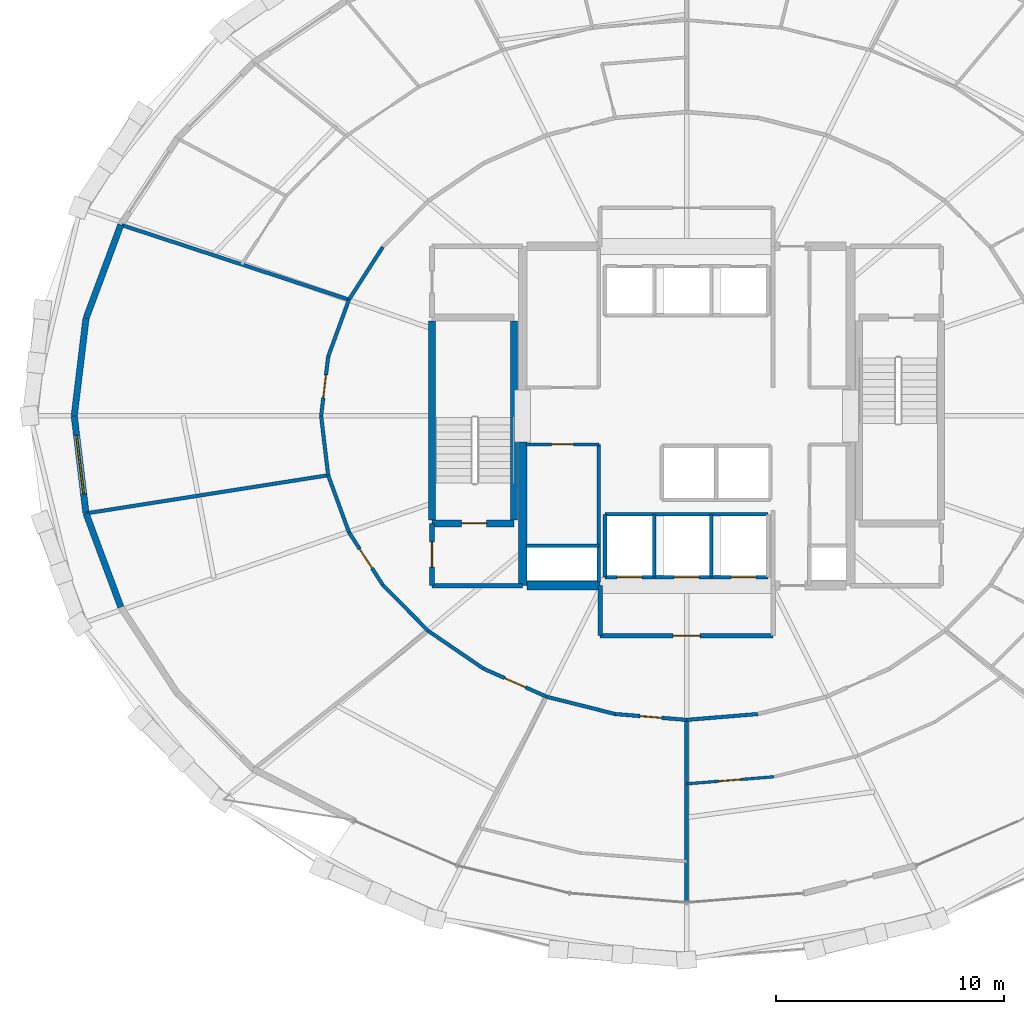
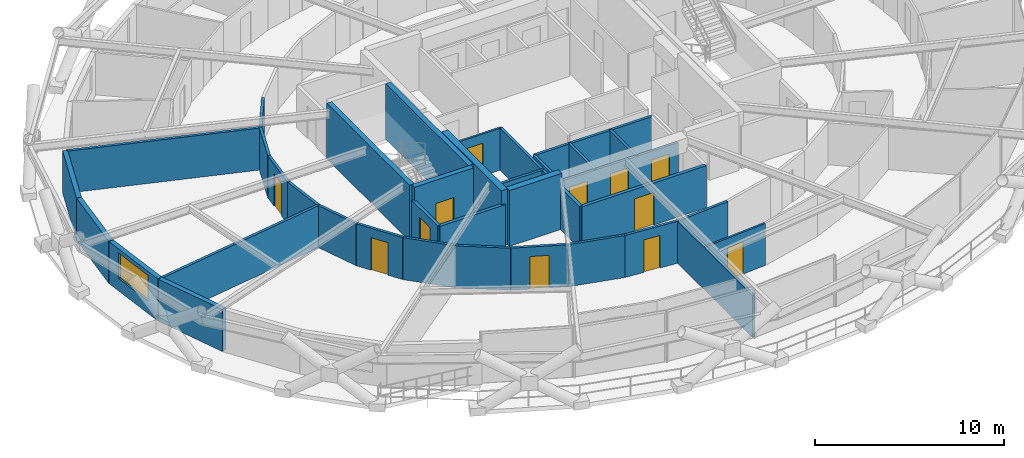
# One storey, part 14 of 21: 37 walls, 12 doors, 1 window, 13 openings.
"""IFC4 building model written with IfcOpenShell, lengths in metres."""

from ifc_helpers import new_model, si_unit, direction, frame, frame_2d, origin, place, context, subcontext, project, spatial, rectangle, extrude, material, layer, layer_set, type_object, element, fill, save


model = new_model("IFC4")

# Units and contexts
model_context = context("Model", 3, precision=1e-05, world=origin(), true_north=direction((0.0, 1.0)))
body_context = subcontext(model_context, "Body", "Model", "MODEL_VIEW")
ifc_project = project(units=[si_unit("LENGTHUNIT", "METRE"), si_unit("AREAUNIT", "SQUARE_METRE"), si_unit("VOLUMEUNIT", "CUBIC_METRE"), si_unit("PLANEANGLEUNIT", "RADIAN"), si_unit("MASSUNIT", "GRAM", prefix="KILO")], contexts=[model_context])

# Site, building, storey
site_placement = place(None, origin())
site = spatial("IfcSite", under=ifc_project, at=site_placement, CompositionType="ELEMENT")
building_placement = place(site_placement, origin())
building = spatial("IfcBuilding", under=site, at=building_placement, Name="Veldorina Hangang Commons", CompositionType="ELEMENT")
storey_placement = place(building_placement, frame((0.0, 0.0, 98.800048828125)))
storey = spatial("IfcBuildingStorey", under=building, at=storey_placement, Name="L25", CompositionType="ELEMENT", Elevation=98.800048828125)

# Walls
ifc_material_1 = material(Name="Concrete C70/85", Category="concrete")
ifc_layer_1 = layer(ifc_material_1, 0.3798828125)
ifc_layer_set_1 = layer_set([ifc_layer_1], Name="Concrete C70/85")
wall_type_1 = type_object("IfcWallType", Name="CW-RC380-C70", PredefinedType="SHEAR", material=ifc_layer_set_1)
wall_1_placement = place(storey_placement, frame((24.800048828125, 16.550048828125, 0.0), z_axis=(0.0, 0.0, 1.0), x_axis=(0.0, 1.0, 0.0)))
element("IfcWall", 1, at=wall_1_placement, inside=storey, type_object=wall_type_1, Name="L25 W south core shear wall", PredefinedType="SHEAR", context=body_context, shape_type="SweptSolid", body=[
    extrude(rectangle(XDim=6.300048828125, YDim=0.3798828125, at=frame_2d((3.14990234375, 0.0))), origin(), (0.0, 0.0, 1.0), 3.599853515625),
])
wall_2_placement = place(storey_placement, frame((24.989990234375, 16.550048828125, 0.0), z_axis=(0.0, 0.0, 1.0), x_axis=(1.0, 0.0, 0.0)))
element("IfcWall", 2, at=wall_2_placement, inside=storey, type_object=wall_type_1, Name="L25 south-west core shear wall", PredefinedType="SHEAR", context=body_context, shape_type="SweptSolid", body=[
    extrude(rectangle(XDim=3.2099609375, YDim=0.3798828125, at=frame_2d((1.60498046875, 0.0))), origin(), (0.0, 0.0, 1.0), 3.599853515625),
])
ifc_material_2 = material(Name="Stone Roman Travertine", Category="masonry")
ifc_layer_2 = layer(ifc_material_2, 0.280029296875)
ifc_layer_set_2 = layer_set([ifc_layer_2], Name="Stone Roman Travertine")
wall_type_2 = type_object("IfcWallType", Name="EW-TRAV-280", PredefinedType="STANDARD", material=ifc_layer_set_2)
wall_3_placement = place(storey_placement, frame((7.15234375, 32.3955078125, 0.0), z_axis=(0.0, 0.0, 1.0), x_axis=(-0.348569013741, -0.937283117665, 0.0)))
element("IfcWall", 3, at=wall_3_placement, inside=storey, type_object=wall_type_2, Name="L25 travertine facade wall 14", PredefinedType="STANDARD", context=body_context, shape_type="SweptSolid", body=[
    extrude(rectangle(XDim=4.390869140625, YDim=0.280029296875, at=frame_2d((2.1953125, 0.0))), origin(), (0.0, 0.0, 1.0), 2.7099609375),
])
wall_4_placement = place(storey_placement, frame((5.621826171875, 28.280029296875, 0.0), z_axis=(0.0, 0.0, 1.0), x_axis=(-0.119886563343, -0.992787596583, 0.0)))
element("IfcWall", 4, at=wall_4_placement, inside=storey, type_object=wall_type_2, Name="L25 travertine facade wall 15", PredefinedType="STANDARD", context=body_context, shape_type="SweptSolid", body=[
    extrude(rectangle(XDim=4.31103515625, YDim=0.280029296875, at=frame_2d((2.155517578125, 0.0))), origin(), (0.0, 0.0, 1.0), 2.7099609375),
])

# Wall, opening, window
wall_5_placement = place(storey_placement, frame((5.10498046875, 24.0, 0.0), z_axis=(0.0, 0.0, 1.0), x_axis=(0.119886563343, -0.992787596583, 0.0)))
wall_5 = element("IfcWall", 5, at=wall_5_placement, inside=storey, type_object=wall_type_2, Name="L25 travertine facade wall 16", PredefinedType="STANDARD", context=body_context, shape_type="SweptSolid", body=[
    extrude(rectangle(XDim=4.31103515625, YDim=0.280029296875, at=frame_2d((2.155517578125, 0.0))), origin(), (0.0, 0.0, 1.0), 2.7099609375),
])
opening_1_placement = place(wall_5_placement, frame((0.85546875, 0.0, 0.800048828125)))
opening_1 = element("IfcOpeningElement", 6, at=opening_1_placement, cuts=wall_5, Name="Opening W-02", PredefinedType="OPENING", context=body_context, shape_type="SweptSolid", body=[
    extrude(rectangle(XDim=2.60009765625, YDim=1.64990234375, at=frame_2d((1.300048828125, 0.824951171875))), frame((0.0, 0.14990234375, 0.0), z_axis=(0.0, -1.0, 0.0), x_axis=(1.0, 0.0, 0.0)), (0.0, 0.0, 1.0), 0.300048828125),
])
ifc_material_3 = material(Name="Glass Low-E Triple IGU", Category="glass")
window_type = type_object("IfcWindowType", Name="WIN-TWR-2600", PartitioningType="SINGLE_PANEL", PredefinedType="WINDOW", material=ifc_material_3)
window_placement = place(opening_1_placement, origin())
window = element("IfcWindow", 7, at=window_placement, inside=storey, type_object=window_type, Name="L25 facade window 16", OverallHeight=1.64990234375, OverallWidth=2.60009765625, PartitioningType="SINGLE_PANEL", PredefinedType="WINDOW", context=body_context, shape_type="SweptSolid", body=[
    extrude(rectangle(XDim=2.60009765625, YDim=1.64990234375, at=frame_2d((1.300048828125, 0.824951171875))), frame((0.0, 0.030029296875, 0.0), z_axis=(0.0, -1.0, 0.0), x_axis=(1.0, 0.0, 0.0)), (0.0, 0.0, 1.0), 0.06005859375),
])
fill(opening_1, window)

# Walls
wall_6_placement = place(storey_placement, frame((5.621826171875, 19.719970703125, 0.0), z_axis=(0.0, 0.0, 1.0), x_axis=(0.348569013741, -0.937283117665, 0.0)))
element("IfcWall", 8, at=wall_6_placement, inside=storey, type_object=wall_type_2, Name="L25 travertine facade wall 17", PredefinedType="STANDARD", context=body_context, shape_type="SweptSolid", body=[
    extrude(rectangle(XDim=4.390869140625, YDim=0.280029296875, at=frame_2d((2.1953125, 0.0))), origin(), (0.0, 0.0, 1.0), 2.7099609375),
])
ifc_material_4 = material(Name="Concrete C50/60", Category="concrete")
ifc_layer_3 = layer(ifc_material_4, 0.300048828125)
ifc_layer_set_3 = layer_set([ifc_layer_3], Name="Concrete C50/60")
wall_type_3 = type_object("IfcWallType", Name="SW-STAIR-300", PredefinedType="SHEAR", material=ifc_layer_set_3)
for number, where, z_axis, x_axis, name in (
    (9, (20.820068359375, 19.429931640625, 0.0), (0.0, 0.0, 1.0), (0.0, 1.0, 0.0), "L25 ST1 outer stair shear wall"),
    (10, (24.419921875, 19.429931640625, 0.0), (0.0, 0.0, 1.0), (0.0, 1.0, 0.0), "L25 ST1 inner stair shear wall"),
):
    element("IfcWall", number, at=place(storey_placement, frame(where, z_axis=z_axis, x_axis=x_axis)), inside=storey, type_object=wall_type_3, Name=name, PredefinedType="SHEAR", context=body_context, shape_type="SweptSolid", body=[
        extrude(rectangle(XDim=8.739990234375, YDim=0.300048828125, at=frame_2d((4.3701171875, 0.0))), origin(), (0.0, 0.0, 1.0), 3.599853515625),
    ])

# Wall, opening, door
wall_7_placement = place(storey_placement, frame((20.820068359375, 19.280029296875, 0.0), z_axis=(0.0, 0.0, 1.0), x_axis=(1.0, 0.0, 0.0)))
wall_7 = element("IfcWall", 11, at=wall_7_placement, inside=storey, type_object=wall_type_3, Name="L25 ST1 south stair shear wall", PredefinedType="SHEAR", context=body_context, shape_type="SweptSolid", body=[
    extrude(rectangle(XDim=3.599853515625, YDim=0.300048828125, at=frame_2d((1.7998046875, 0.0))), origin(), (0.0, 0.0, 1.0), 3.599853515625),
])
opening_2_placement = place(wall_7_placement, frame((1.300048828125, 0.0, 0.0)))
opening_2 = element("IfcOpeningElement", 12, at=opening_2_placement, cuts=wall_7, Name="Opening D-08", PredefinedType="OPENING", context=body_context, shape_type="SweptSolid", body=[
    extrude(rectangle(XDim=1.10009765625, YDim=2.10009765625, at=frame_2d((0.550048828125, 1.050048828125))), frame((0.0, 0.16015625, 0.0), z_axis=(0.0, -1.0, 0.0), x_axis=(1.0, 0.0, 0.0)), (0.0, 0.0, 1.0), 0.320068359375),
])
ifc_material_5 = material(Name="Steel Fire-Rated Smoke Seal", Category="steel")
door_type_1 = type_object("IfcDoorType", Name="DR-FIRE-1100", OperationType="SINGLE_SWING_RIGHT", PredefinedType="DOOR", material=ifc_material_5)
door_1_placement = place(opening_2_placement, origin())
door_1 = element("IfcDoor", 13, at=door_1_placement, inside=storey, type_object=door_type_1, Name="L25 Special Escape Stair ST-1 door", OperationType="SINGLE_SWING_LEFT", OverallHeight=2.10009765625, OverallWidth=1.10009765625, PredefinedType="DOOR", context=body_context, shape_type="SweptSolid", body=[
    extrude(rectangle(XDim=1.10009765625, YDim=2.10009765625, at=frame_2d((0.550048828125, 1.050048828125))), frame((0.0, 0.02490234375, 0.0), z_axis=(0.0, -1.0, 0.0), x_axis=(1.0, 0.0, 0.0)), (0.0, 0.0, 1.0), 0.050048828125),
])
fill(opening_2, door_1)

# Wall, openings, doors
ifc_material_6 = material(Name="Gypsum Fire-Rated Twin Stud Wall", Category="gypsum")
ifc_layer_4 = layer(ifc_material_6, 0.159912109375)
ifc_layer_set_4 = layer_set([ifc_layer_4], Name="Gypsum Fire-Rated Twin Stud Wall")
wall_type_4 = type_object("IfcWallType", Name="WL-FIRE-160", PredefinedType="SOLIDWALL", material=ifc_layer_set_4)
wall_8_placement = place(storey_placement, frame((28.419921875, 16.919921875, 0.0), z_axis=(0.0, 0.0, 1.0), x_axis=(1.0, 0.0, 0.0)))
wall_8 = element("IfcWall", 14, at=wall_8_placement, inside=storey, type_object=wall_type_4, Name="L25 Emergency front shaft wall 026", PredefinedType="SOLIDWALL", context=body_context, shape_type="SweptSolid", body=[
    extrude(rectangle(XDim=7.16015625, YDim=0.159912109375, at=frame_2d((3.580078125, 0.0))), origin(), (0.0, 0.0, 1.0), 2.7099609375),
])
opening_3_placement = place(wall_8_placement, frame((0.530029296875, 0.0, 0.0)))
opening_3 = element("IfcOpeningElement", 15, at=opening_3_placement, cuts=wall_8, Name="Opening LD-03", PredefinedType="OPENING", context=body_context, shape_type="SweptSolid", body=[
    extrude(rectangle(XDim=1.10009765625, YDim=2.14990234375, at=frame_2d((0.550048828125, 1.074951171875))), frame((0.0, 0.08984375, 0.0), z_axis=(0.0, -1.0, 0.0), x_axis=(1.0, 0.0, 0.0)), (0.0, 0.0, 1.0), 0.179931640625),
])
opening_4_placement = place(wall_8_placement, frame((3.030029296875, 0.0, 0.0)))
opening_4 = element("IfcOpeningElement", 16, at=opening_4_placement, cuts=wall_8, Name="Opening LD-03", PredefinedType="OPENING", context=body_context, shape_type="SweptSolid", body=[
    extrude(rectangle(XDim=1.10009765625, YDim=2.14990234375, at=frame_2d((0.550048828125, 1.074951171875))), frame((0.0, 0.08984375, 0.0), z_axis=(0.0, -1.0, 0.0), x_axis=(1.0, 0.0, 0.0)), (0.0, 0.0, 1.0), 0.179931640625),
])
opening_5_placement = place(wall_8_placement, frame((5.530029296875, 0.0, 0.0)))
opening_5 = element("IfcOpeningElement", 17, at=opening_5_placement, cuts=wall_8, Name="Opening LD-03", PredefinedType="OPENING", context=body_context, shape_type="SweptSolid", body=[
    extrude(rectangle(XDim=1.10009765625, YDim=2.14990234375, at=frame_2d((0.550048828125, 1.074951171875))), frame((0.0, 0.08984375, 0.0), z_axis=(0.0, -1.0, 0.0), x_axis=(1.0, 0.0, 0.0)), (0.0, 0.0, 1.0), 0.179931640625),
])
ifc_material_7 = material(Name="Stainless Steel Firefighting Lift Door", Category="steel")
door_type_2 = type_object("IfcDoorType", Name="DR-LIFT-FF1100", OperationType="SLIDING_TO_RIGHT", PredefinedType="DOOR", material=ifc_material_7)
door_2_placement = place(opening_3_placement, origin())
door_2 = element("IfcDoor", 18, at=door_2_placement, inside=storey, type_object=door_type_2, Name="L25 Emergency lift FFL-1 landing door 009", OperationType="SLIDING_TO_RIGHT", OverallHeight=2.14990234375, OverallWidth=1.10009765625, PredefinedType="DOOR", context=body_context, shape_type="SweptSolid", body=[
    extrude(rectangle(XDim=1.10009765625, YDim=2.14990234375, at=frame_2d((0.550048828125, 1.074951171875))), frame((0.0, 0.02490234375, 0.0), z_axis=(0.0, -1.0, 0.0), x_axis=(1.0, 0.0, 0.0)), (0.0, 0.0, 1.0), 0.050048828125),
])
fill(opening_3, door_2)
door_3_placement = place(opening_4_placement, origin())
door_3 = element("IfcDoor", 19, at=door_3_placement, inside=storey, type_object=door_type_2, Name="L25 Emergency lift FFL-2 landing door 010", OperationType="SLIDING_TO_RIGHT", OverallHeight=2.14990234375, OverallWidth=1.10009765625, PredefinedType="DOOR", context=body_context, shape_type="SweptSolid", body=[
    extrude(rectangle(XDim=1.10009765625, YDim=2.14990234375, at=frame_2d((0.550048828125, 1.074951171875))), frame((0.0, 0.02490234375, 0.0), z_axis=(0.0, -1.0, 0.0), x_axis=(1.0, 0.0, 0.0)), (0.0, 0.0, 1.0), 0.050048828125),
])
fill(opening_4, door_3)
door_4_placement = place(opening_5_placement, origin())
door_4 = element("IfcDoor", 20, at=door_4_placement, inside=storey, type_object=door_type_2, Name="L25 Emergency lift EVL-1 landing door 011", OperationType="SLIDING_TO_RIGHT", OverallHeight=2.14990234375, OverallWidth=1.10009765625, PredefinedType="DOOR", context=body_context, shape_type="SweptSolid", body=[
    extrude(rectangle(XDim=1.10009765625, YDim=2.14990234375, at=frame_2d((0.550048828125, 1.074951171875))), frame((0.0, 0.02490234375, 0.0), z_axis=(0.0, -1.0, 0.0), x_axis=(1.0, 0.0, 0.0)), (0.0, 0.0, 1.0), 0.050048828125),
])
fill(opening_5, door_4)

# Walls
wall_9_placement = place(storey_placement, frame((28.419921875, 19.679931640625, 0.0), z_axis=(0.0, 0.0, 1.0), x_axis=(1.0, 0.0, 0.0)))
element("IfcWall", 21, at=wall_9_placement, inside=storey, type_object=wall_type_4, Name="L25 Emergency rear shaft wall 027", PredefinedType="SOLIDWALL", context=body_context, shape_type="SweptSolid", body=[
    extrude(rectangle(XDim=7.16015625, YDim=0.159912109375, at=frame_2d((3.580078125, 0.0))), origin(), (0.0, 0.0, 1.0), 2.7099609375),
])
for number, where, z_axis, x_axis, name in (
    (22, (28.419921875, 16.919921875, 0.0), (0.0, 0.0, 1.0), (0.0, 1.0, 0.0), "L25 FFL-1 west shaft wall 028"),
    (23, (30.580078125, 16.919921875, 0.0), (0.0, 0.0, 1.0), (0.0, 1.0, 0.0), "L25 FFL-1 east shaft wall 029"),
    (24, (33.080078125, 16.919921875, 0.0), (0.0, 0.0, 1.0), (0.0, 1.0, 0.0), "L25 FFL-2 east shaft wall 030"),
):
    element("IfcWall", number, at=place(storey_placement, frame(where, z_axis=z_axis, x_axis=x_axis)), inside=storey, type_object=wall_type_4, Name=name, PredefinedType="SOLIDWALL", context=body_context, shape_type="SweptSolid", body=[
        extrude(rectangle(XDim=2.760009765625, YDim=0.159912109375, at=frame_2d((1.3798828125, 0.0))), origin(), (0.0, 0.0, 1.0), 2.7099609375),
    ])
wall_10_placement = place(storey_placement, frame((24.949951171875, 18.300048828125, 0.0), z_axis=(0.0, 0.0, 1.0), x_axis=(1.0, 0.0, 0.0)))
element("IfcWall", 25, at=wall_10_placement, inside=storey, type_object=wall_type_4, Name="L25 Electrical riser wall 035", PredefinedType="SOLIDWALL", context=body_context, shape_type="SweptSolid", body=[
    extrude(rectangle(XDim=3.199951171875, YDim=0.159912109375, at=frame_2d((1.60009765625, 0.0))), origin(), (0.0, 0.0, 1.0), 2.7099609375),
])
wall_11_placement = place(storey_placement, frame((28.14990234375, 16.699951171875, 0.0), z_axis=(0.0, 0.0, 1.0), x_axis=(0.0, 1.0, 0.0)))
element("IfcWall", 26, at=wall_11_placement, inside=storey, type_object=wall_type_4, Name="L25 SW core inner wall 036", PredefinedType="SOLIDWALL", context=body_context, shape_type="SweptSolid", body=[
    extrude(rectangle(XDim=6.050048828125, YDim=0.159912109375, at=frame_2d((3.02490234375, 0.0))), origin(), (0.0, 0.0, 1.0), 2.7099609375),
])
wall_12_placement = place(storey_placement, frame((18.65478515625, 31.4169921875, 0.0), z_axis=(0.0, 0.0, 1.0), x_axis=(-0.540595670038, -0.841282545603, 0.0)))
element("IfcWall", 27, at=wall_12_placement, inside=storey, type_object=wall_type_4, Name="L25 Corridor outer wall 13 058", PredefinedType="SOLIDWALL", context=body_context, shape_type="SweptSolid", body=[
    extrude(rectangle(XDim=2.74365234375, YDim=0.159912109375, at=frame_2d((1.371826171875, 0.0))), origin(), (0.0, 0.0, 1.0), 2.7099609375),
])
wall_13_placement = place(storey_placement, frame((17.171630859375, 29.10888671875, 0.0), z_axis=(0.0, 0.0, 1.0), x_axis=(-0.342617982381, -0.939474809747, 0.0)))
element("IfcWall", 28, at=wall_13_placement, inside=storey, type_object=wall_type_4, Name="L25 Corridor outer wall 14 059", PredefinedType="SOLIDWALL", context=body_context, shape_type="SweptSolid", body=[
    extrude(rectangle(XDim=2.665771484375, YDim=0.159912109375, at=frame_2d((1.3330078125, 0.0))), origin(), (0.0, 0.0, 1.0), 2.7099609375),
])

# Wall, opening, door
wall_14_placement = place(storey_placement, frame((16.25830078125, 26.6044921875, 0.0), z_axis=(0.0, 0.0, 1.0), x_axis=(-0.117570353762, -0.993064555765, 0.0)))
wall_14 = element("IfcWall", 29, at=wall_14_placement, inside=storey, type_object=wall_type_4, Name="L25 Corridor outer wall 15 060", PredefinedType="SOLIDWALL", context=body_context, shape_type="SweptSolid", body=[
    extrude(rectangle(XDim=2.622802734375, YDim=0.159912109375, at=frame_2d((1.3115234375, 0.0))), origin(), (0.0, 0.0, 1.0), 2.7099609375),
])
opening_6_placement = place(wall_14_placement, frame((0.811279296875, 0.0, 0.0)))
opening_6 = element("IfcOpeningElement", 30, at=opening_6_placement, cuts=wall_14, Name="Opening D-05", PredefinedType="OPENING", context=body_context, shape_type="SweptSolid", body=[
    extrude(rectangle(XDim=1.0, YDim=2.10009765625, at=frame_2d((0.5, 1.050048828125))), frame((0.0, 0.08984375, 0.0), z_axis=(0.0, -1.0, 0.0), x_axis=(1.0, 0.0, 0.0)), (0.0, 0.0, 1.0), 0.179931640625),
])
ifc_material_8 = material(Name="Timber Solid Core Acoustic", Category="wood")
door_type_3 = type_object("IfcDoorType", Name="DR-INT-1000", OperationType="SINGLE_SWING_RIGHT", PredefinedType="DOOR", material=ifc_material_8)
door_5_placement = place(opening_6_placement, origin())
door_5 = element("IfcDoor", 31, at=door_5_placement, inside=storey, type_object=door_type_3, Name="L25 Floor Study Room 5 door 043", OperationType="SINGLE_SWING_LEFT", OverallHeight=2.10009765625, OverallWidth=1.0, PredefinedType="DOOR", context=body_context, shape_type="SweptSolid", body=[
    extrude(rectangle(XDim=1.0, YDim=2.10009765625, at=frame_2d((0.5, 1.050048828125))), frame((0.0, 0.02490234375, 0.0), z_axis=(0.0, -1.0, 0.0), x_axis=(1.0, 0.0, 0.0)), (0.0, 0.0, 1.0), 0.050048828125),
])
fill(opening_6, door_5)

# Walls
wall_15_placement = place(storey_placement, frame((15.949951171875, 24.0, 0.0), z_axis=(0.0, 0.0, 1.0), x_axis=(0.117570353762, -0.993064555765, 0.0)))
element("IfcWall", 32, at=wall_15_placement, inside=storey, type_object=wall_type_4, Name="L25 Corridor outer wall 16 061", PredefinedType="SOLIDWALL", context=body_context, shape_type="SweptSolid", body=[
    extrude(rectangle(XDim=2.622802734375, YDim=0.159912109375, at=frame_2d((1.3115234375, 0.0))), origin(), (0.0, 0.0, 1.0), 2.7099609375),
])
wall_16_placement = place(storey_placement, frame((16.25830078125, 21.3955078125, 0.0), z_axis=(0.0, 0.0, 1.0), x_axis=(0.342617982381, -0.939474809747, 0.0)))
element("IfcWall", 33, at=wall_16_placement, inside=storey, type_object=wall_type_4, Name="L25 Corridor outer wall 17 062", PredefinedType="SOLIDWALL", context=body_context, shape_type="SweptSolid", body=[
    extrude(rectangle(XDim=2.665771484375, YDim=0.159912109375, at=frame_2d((1.3330078125, 0.0))), origin(), (0.0, 0.0, 1.0), 2.7099609375),
])

# Wall, opening, door
wall_17_placement = place(storey_placement, frame((17.171630859375, 18.89111328125, 0.0), z_axis=(0.0, 0.0, 1.0), x_axis=(0.540595670038, -0.841282545603, 0.0)))
wall_17 = element("IfcWall", 34, at=wall_17_placement, inside=storey, type_object=wall_type_4, Name="L25 Corridor outer wall 18 063", PredefinedType="SOLIDWALL", context=body_context, shape_type="SweptSolid", body=[
    extrude(rectangle(XDim=2.74365234375, YDim=0.159912109375, at=frame_2d((1.371826171875, 0.0))), origin(), (0.0, 0.0, 1.0), 2.7099609375),
])
opening_7_placement = place(wall_17_placement, frame((0.871826171875, 0.0, 0.0)))
opening_7 = element("IfcOpeningElement", 35, at=opening_7_placement, cuts=wall_17, Name="Opening D-05", PredefinedType="OPENING", context=body_context, shape_type="SweptSolid", body=[
    extrude(rectangle(XDim=1.0, YDim=2.10009765625, at=frame_2d((0.5, 1.050048828125))), frame((0.0, 0.08984375, 0.0), z_axis=(0.0, -1.0, 0.0), x_axis=(1.0, 0.0, 0.0)), (0.0, 0.0, 1.0), 0.179931640625),
])
door_6_placement = place(opening_7_placement, origin())
door_6 = element("IfcDoor", 36, at=door_6_placement, inside=storey, type_object=door_type_3, Name="L25 Floor Study Room 6 door 044", OperationType="SINGLE_SWING_RIGHT", OverallHeight=2.10009765625, OverallWidth=1.0, PredefinedType="DOOR", context=body_context, shape_type="SweptSolid", body=[
    extrude(rectangle(XDim=1.0, YDim=2.10009765625, at=frame_2d((0.5, 1.050048828125))), frame((0.0, 0.02490234375, 0.0), z_axis=(0.0, -1.0, 0.0), x_axis=(1.0, 0.0, 0.0)), (0.0, 0.0, 1.0), 0.050048828125),
])
fill(opening_7, door_6)

# Walls
wall_18_placement = place(storey_placement, frame((18.65478515625, 16.5830078125, 0.0), z_axis=(0.0, 0.0, 1.0), x_axis=(0.702366174226, -0.711815816981, 0.0)))
element("IfcWall", 37, at=wall_18_placement, inside=storey, type_object=wall_type_4, Name="L25 Corridor outer wall 19 064", PredefinedType="SOLIDWALL", context=body_context, shape_type="SweptSolid", body=[
    extrude(rectangle(XDim=2.842041015625, YDim=0.159912109375, at=frame_2d((1.4208984375, 0.0))), origin(), (0.0, 0.0, 1.0), 2.7099609375),
])
wall_19_placement = place(storey_placement, frame((20.65087890625, 14.56005859375, 0.0), z_axis=(0.0, 0.0, 1.0), x_axis=(0.825929039072, -0.563774088104, 0.0)))
element("IfcWall", 38, at=wall_19_placement, inside=storey, type_object=wall_type_4, Name="L25 Corridor outer wall 20 065", PredefinedType="SOLIDWALL", context=body_context, shape_type="SweptSolid", body=[
    extrude(rectangle(XDim=2.94482421875, YDim=0.159912109375, at=frame_2d((1.472412109375, 0.0))), origin(), (0.0, 0.0, 1.0), 2.7099609375),
])

# Wall, opening, door
wall_20_placement = place(storey_placement, frame((23.0830078125, 12.89990234375, 0.0), z_axis=(0.0, 0.0, 1.0), x_axis=(0.913768445178, -0.406235434936, 0.0)))
wall_20 = element("IfcWall", 39, at=wall_20_placement, inside=storey, type_object=wall_type_4, Name="L25 Corridor outer wall 21 066", PredefinedType="SOLIDWALL", context=body_context, shape_type="SweptSolid", body=[
    extrude(rectangle(XDim=3.036865234375, YDim=0.159912109375, at=frame_2d((1.5185546875, 0.0))), origin(), (0.0, 0.0, 1.0), 2.7099609375),
])
opening_8_placement = place(wall_20_placement, frame((1.018310546875, 0.0, 0.0)))
opening_8 = element("IfcOpeningElement", 40, at=opening_8_placement, cuts=wall_20, Name="Opening D-05", PredefinedType="OPENING", context=body_context, shape_type="SweptSolid", body=[
    extrude(rectangle(XDim=1.0, YDim=2.10009765625, at=frame_2d((0.5, 1.050048828125))), frame((0.0, 0.08984375, 0.0), z_axis=(0.0, -1.0, 0.0), x_axis=(1.0, 0.0, 0.0)), (0.0, 0.0, 1.0), 0.179931640625),
])
door_7_placement = place(opening_8_placement, origin())
door_7 = element("IfcDoor", 41, at=door_7_placement, inside=storey, type_object=door_type_3, Name="L25 Seminar Focus Room 7 door 045", OperationType="SINGLE_SWING_LEFT", OverallHeight=2.10009765625, OverallWidth=1.0, PredefinedType="DOOR", context=body_context, shape_type="SweptSolid", body=[
    extrude(rectangle(XDim=1.0, YDim=2.10009765625, at=frame_2d((0.5, 1.050048828125))), frame((0.0, 0.02490234375, 0.0), z_axis=(0.0, -1.0, 0.0), x_axis=(1.0, 0.0, 0.0)), (0.0, 0.0, 1.0), 0.050048828125),
])
fill(opening_8, door_7)

# Wall
wall_21_placement = place(storey_placement, frame((25.85791015625, 11.666259765625, 0.0), z_axis=(0.0, 0.0, 1.0), x_axis=(0.969608333194, -0.244662380029, 0.0)))
element("IfcWall", 42, at=wall_21_placement, inside=storey, type_object=wall_type_4, Name="L25 Corridor outer wall 22 067", PredefinedType="SOLIDWALL", context=body_context, shape_type="SweptSolid", body=[
    extrude(rectangle(XDim=3.10546875, YDim=0.159912109375, at=frame_2d((1.552734375, 0.0))), origin(), (0.0, 0.0, 1.0), 2.7099609375),
])

# Wall, opening, door
wall_22_placement = place(storey_placement, frame((28.868896484375, 10.906494140625, 0.0), z_axis=(0.0, 0.0, 1.0), x_axis=(0.996658973252, -0.081675522876, 0.0)))
wall_22 = element("IfcWall", 43, at=wall_22_placement, inside=storey, type_object=wall_type_4, Name="L25 Corridor outer wall 23 068", PredefinedType="SOLIDWALL", context=body_context, shape_type="SweptSolid", body=[
    extrude(rectangle(XDim=3.1416015625, YDim=0.159912109375, at=frame_2d((1.57080078125, 0.0))), origin(), (0.0, 0.0, 1.0), 2.7099609375),
])
opening_9_placement = place(wall_22_placement, frame((1.095703125, 0.0, 0.0)))
opening_9 = element("IfcOpeningElement", 44, at=opening_9_placement, cuts=wall_22, Name="Opening D-02", PredefinedType="OPENING", context=body_context, shape_type="SweptSolid", body=[
    extrude(rectangle(XDim=0.949951171875, YDim=2.10009765625, at=frame_2d((0.47509765625, 1.050048828125))), frame((0.0, 0.08984375, 0.0), z_axis=(0.0, -1.0, 0.0), x_axis=(1.0, 0.0, 0.0)), (0.0, 0.0, 1.0), 0.179931640625),
])
door_type_4 = type_object("IfcDoorType", Name="DR-INT-950", OperationType="SINGLE_SWING_LEFT", PredefinedType="DOOR", material=ifc_material_8)
door_8_placement = place(opening_9_placement, origin())
door_8 = element("IfcDoor", 45, at=door_8_placement, inside=storey, type_object=door_type_4, Name="L25 Linen drying store door 046", OperationType="SINGLE_SWING_RIGHT", OverallHeight=2.10009765625, OverallWidth=0.949951171875, PredefinedType="DOOR", context=body_context, shape_type="SweptSolid", body=[
    extrude(rectangle(XDim=0.949951171875, YDim=2.10009765625, at=frame_2d((0.47509765625, 1.050048828125))), frame((0.0, 0.02490234375, 0.0), z_axis=(0.0, -1.0, 0.0), x_axis=(1.0, 0.0, 0.0)), (0.0, 0.0, 1.0), 0.050048828125),
])
fill(opening_9, door_8)

# Walls
wall_23_placement = place(storey_placement, frame((32.0, 10.64990234375, 0.0), z_axis=(0.0, 0.0, 1.0), x_axis=(0.996658973252, 0.081675522876, 0.0)))
element("IfcWall", 46, at=wall_23_placement, inside=storey, type_object=wall_type_4, Name="L25 Corridor outer wall 24 069", PredefinedType="SOLIDWALL", context=body_context, shape_type="SweptSolid", body=[
    extrude(rectangle(XDim=3.1416015625, YDim=0.159912109375, at=frame_2d((1.57080078125, 0.0))), origin(), (0.0, 0.0, 1.0), 2.7099609375),
])
wall_24_placement = place(storey_placement, frame((32.0, 10.64990234375, 0.0), z_axis=(0.0, 0.0, 1.0), x_axis=(0.0, -1.0, 0.0)))
element("IfcWall", 47, at=wall_24_placement, inside=storey, type_object=wall_type_4, Name="L25 Unit party wall 24 077", PredefinedType="SOLIDWALL", context=body_context, shape_type="SweptSolid", body=[
    extrude(rectangle(XDim=7.978515625, YDim=0.159912109375, at=frame_2d((3.9892578125, 0.0))), origin(), (0.0, 0.0, 1.0), 2.7099609375),
])
wall_25_placement = place(storey_placement, frame((17.171630859375, 29.10888671875, 0.0), z_axis=(0.0, 0.0, 1.0), x_axis=(-0.950186855509, 0.311680829725, 0.0)))
element("IfcWall", 48, at=wall_25_placement, inside=storey, type_object=wall_type_4, Name="L25 Unit party wall 14 124", PredefinedType="SOLIDWALL", context=body_context, shape_type="SweptSolid", body=[
    extrude(rectangle(XDim=10.49462890625, YDim=0.159912109375, at=frame_2d((5.247314453125, 0.0))), origin(), (0.0, 0.0, 1.0), 2.7099609375),
])
wall_26_placement = place(storey_placement, frame((16.25830078125, 21.3955078125, 0.0), z_axis=(0.0, 0.0, 1.0), x_axis=(-0.987819417483, -0.15560462218, 0.0)))
element("IfcWall", 49, at=wall_26_placement, inside=storey, type_object=wall_type_4, Name="L25 Unit party wall 17 125", PredefinedType="SOLIDWALL", context=body_context, shape_type="SweptSolid", body=[
    extrude(rectangle(XDim=10.7177734375, YDim=0.159912109375, at=frame_2d((5.35888671875, 0.0))), origin(), (0.0, 0.0, 1.0), 2.7099609375),
])

# Wall, opening, door
ifc_material_9 = material(Name="Concrete Blockwork Fire Wall C30/37", Category="masonry")
ifc_layer_5 = layer(ifc_material_9, 0.199951171875)
ifc_layer_set_5 = layer_set([ifc_layer_5], Name="Concrete Blockwork Fire Wall C30/37")
wall_type_5 = type_object("IfcWallType", Name="WL-FIRE-200", PredefinedType="SOLIDWALL", material=ifc_layer_set_5)
wall_27_placement = place(storey_placement, frame((20.820068359375, 16.550048828125, 0.0), z_axis=(0.0, 0.0, 1.0), x_axis=(0.0, 1.0, 0.0)))
wall_27 = element("IfcWall", 50, at=wall_27_placement, inside=storey, type_object=wall_type_5, Name="L25 West vestibule outer wall 001", PredefinedType="SOLIDWALL", context=body_context, shape_type="SweptSolid", body=[
    extrude(rectangle(XDim=2.72998046875, YDim=0.199951171875, at=frame_2d((1.364990234375, 0.0))), origin(), (0.0, 0.0, 1.0), 2.7099609375),
])
opening_10_placement = place(wall_27_placement, frame((0.81494140625, 0.0, 0.0)))
opening_10 = element("IfcOpeningElement", 51, at=opening_10_placement, cuts=wall_27, Name="Opening D-08", PredefinedType="OPENING", context=body_context, shape_type="SweptSolid", body=[
    extrude(rectangle(XDim=1.10009765625, YDim=2.10009765625, at=frame_2d((0.550048828125, 1.050048828125))), frame((0.0, 0.10986328125, 0.0), z_axis=(0.0, -1.0, 0.0), x_axis=(1.0, 0.0, 0.0)), (0.0, 0.0, 1.0), 0.219970703125),
])
door_9_placement = place(opening_10_placement, origin())
door_9 = element("IfcDoor", 52, at=door_9_placement, inside=storey, type_object=door_type_1, Name="L25 West vestibule west door 001", OperationType="SINGLE_SWING_LEFT", OverallHeight=2.10009765625, OverallWidth=1.10009765625, PredefinedType="DOOR", context=body_context, shape_type="SweptSolid", body=[
    extrude(rectangle(XDim=1.10009765625, YDim=2.10009765625, at=frame_2d((0.550048828125, 1.050048828125))), frame((0.0, 0.02490234375, 0.0), z_axis=(0.0, -1.0, 0.0), x_axis=(1.0, 0.0, 0.0)), (0.0, 0.0, 1.0), 0.050048828125),
])
fill(opening_10, door_9)

# Walls
wall_28_placement = place(storey_placement, frame((20.820068359375, 16.550048828125, 0.0), z_axis=(0.0, 0.0, 1.0), x_axis=(1.0, 0.0, 0.0)))
element("IfcWall", 53, at=wall_28_placement, inside=storey, type_object=wall_type_5, Name="L25 West vestibule south wall 002", PredefinedType="SOLIDWALL", context=body_context, shape_type="SweptSolid", body=[
    extrude(rectangle(XDim=3.97998046875, YDim=0.199951171875, at=frame_2d((1.989990234375, 0.0))), origin(), (0.0, 0.0, 1.0), 2.7099609375),
])
wall_29_placement = place(storey_placement, frame((28.199951171875, 14.35009765625, 0.0), z_axis=(0.0, 0.0, 1.0), x_axis=(0.0, 1.0, 0.0)))
element("IfcWall", 54, at=wall_29_placement, inside=storey, type_object=wall_type_5, Name="L25 FF lobby west wall 012", PredefinedType="SOLIDWALL", context=body_context, shape_type="SweptSolid", body=[
    extrude(rectangle(XDim=2.199951171875, YDim=0.199951171875, at=frame_2d((1.10009765625, 0.0))), origin(), (0.0, 0.0, 1.0), 2.7099609375),
])

# Wall, opening, door
wall_30_placement = place(storey_placement, frame((28.199951171875, 14.35009765625, 0.0), z_axis=(0.0, 0.0, 1.0), x_axis=(1.0, 0.0, 0.0)))
wall_30 = element("IfcWall", 55, at=wall_30_placement, inside=storey, type_object=wall_type_5, Name="L25 FF lobby south wall 014", PredefinedType="SOLIDWALL", context=body_context, shape_type="SweptSolid", body=[
    extrude(rectangle(XDim=7.60009765625, YDim=0.199951171875, at=frame_2d((3.800048828125, 0.0))), origin(), (0.0, 0.0, 1.0), 2.7099609375),
])
opening_11_placement = place(wall_30_placement, frame((3.199951171875, 0.0, 0.0)))
opening_11 = element("IfcOpeningElement", 56, at=opening_11_placement, cuts=wall_30, Name="Opening D-09", PredefinedType="OPENING", context=body_context, shape_type="SweptSolid", body=[
    extrude(rectangle(XDim=1.199951171875, YDim=2.10009765625, at=frame_2d((0.60009765625, 1.050048828125))), frame((0.0, 0.10986328125, 0.0), z_axis=(0.0, -1.0, 0.0), x_axis=(1.0, 0.0, 0.0)), (0.0, 0.0, 1.0), 0.219970703125),
])
ifc_material_10 = material(Name="Steel Fire-Rated Corridor Door", Category="steel")
door_type_5 = type_object("IfcDoorType", Name="DR-FIRE-1200", OperationType="SINGLE_SWING_LEFT", PredefinedType="DOOR", material=ifc_material_10)
door_10_placement = place(opening_11_placement, origin())
door_10 = element("IfcDoor", 57, at=door_10_placement, inside=storey, type_object=door_type_5, Name="L25 FF lobby south corridor door 005", OperationType="SINGLE_SWING_LEFT", OverallHeight=2.10009765625, OverallWidth=1.199951171875, PredefinedType="DOOR", context=body_context, shape_type="SweptSolid", body=[
    extrude(rectangle(XDim=1.199951171875, YDim=2.10009765625, at=frame_2d((0.60009765625, 1.050048828125))), frame((0.0, 0.02490234375, 0.0), z_axis=(0.0, -1.0, 0.0), x_axis=(1.0, 0.0, 0.0)), (0.0, 0.0, 1.0), 0.050048828125),
])
fill(opening_11, door_10)

ifc_material_11 = material(Name="Gypsum Acoustic Stud Partition", Category="gypsum")
ifc_layer_6 = layer(ifc_material_11, 0.1201171875)
ifc_layer_set_6 = layer_set([ifc_layer_6], Name="Gypsum Acoustic Stud Partition")
wall_type_6 = type_object("IfcWallType", Name="WL-PART-120", PredefinedType="PARTITIONING", material=ifc_layer_set_6)
wall_31_placement = place(storey_placement, frame((24.949951171875, 22.75, 0.0), z_axis=(0.0, 0.0, 1.0), x_axis=(1.0, 0.0, 0.0)))
wall_31 = element("IfcWall", 58, at=wall_31_placement, inside=storey, type_object=wall_type_6, Name="L25 SW service north wall 040", PredefinedType="PARTITIONING", context=body_context, shape_type="SweptSolid", body=[
    extrude(rectangle(XDim=3.199951171875, YDim=0.1201171875, at=frame_2d((1.60009765625, 0.0))), origin(), (0.0, 0.0, 1.0), 2.7099609375),
])
opening_12_placement = place(wall_31_placement, frame((1.125, 0.0, 0.0)))
opening_12 = element("IfcOpeningElement", 59, at=opening_12_placement, cuts=wall_31, Name="Opening D-02", PredefinedType="OPENING", context=body_context, shape_type="SweptSolid", body=[
    extrude(rectangle(XDim=0.949951171875, YDim=2.10009765625, at=frame_2d((0.47509765625, 1.050048828125))), frame((0.0, 0.070068359375, 0.0), z_axis=(0.0, -1.0, 0.0), x_axis=(1.0, 0.0, 0.0)), (0.0, 0.0, 1.0), 0.14013671875),
])
door_11_placement = place(opening_12_placement, origin())
door_11 = element("IfcDoor", 60, at=door_11_placement, inside=storey, type_object=door_type_4, Name="L25 Refuse hold door 014", OperationType="SINGLE_SWING_RIGHT", OverallHeight=2.10009765625, OverallWidth=0.949951171875, PredefinedType="DOOR", context=body_context, shape_type="SweptSolid", body=[
    extrude(rectangle(XDim=0.949951171875, YDim=2.10009765625, at=frame_2d((0.47509765625, 1.050048828125))), frame((0.0, 0.02490234375, 0.0), z_axis=(0.0, -1.0, 0.0), x_axis=(1.0, 0.0, 0.0)), (0.0, 0.0, 1.0), 0.050048828125),
])
fill(opening_12, door_11)

wall_32_placement = place(storey_placement, frame((32.0, 7.840087890625, 0.0), z_axis=(0.0, 0.0, 1.0), x_axis=(0.996739956591, 0.080681217987, 0.0)))
wall_32 = element("IfcWall", 61, at=wall_32_placement, inside=storey, type_object=wall_type_6, Name="L25 Lounge alcove split 0 078", PredefinedType="PARTITIONING", context=body_context, shape_type="SweptSolid", body=[
    extrude(rectangle(XDim=3.845947265625, YDim=0.1201171875, at=frame_2d((1.9228515625, 0.0))), origin(), (0.0, 0.0, 1.0), 2.7099609375),
])
opening_13_placement = place(wall_32_placement, frame((1.423095703125, 0.0, 0.0)))
opening_13 = element("IfcOpeningElement", 62, at=opening_13_placement, cuts=wall_32, Name="Opening D-05", PredefinedType="OPENING", context=body_context, shape_type="SweptSolid", body=[
    extrude(rectangle(XDim=1.0, YDim=2.10009765625, at=frame_2d((0.5, 1.050048828125))), frame((0.0, 0.070068359375, 0.0), z_axis=(0.0, -1.0, 0.0), x_axis=(1.0, 0.0, 0.0)), (0.0, 0.0, 1.0), 0.14013671875),
])
door_12_placement = place(opening_13_placement, origin())
door_12 = element("IfcDoor", 63, at=door_12_placement, inside=storey, type_object=door_type_3, Name="L25 Commons lounge door 018", OperationType="SINGLE_SWING_RIGHT", OverallHeight=2.10009765625, OverallWidth=1.0, PredefinedType="DOOR", context=body_context, shape_type="SweptSolid", body=[
    extrude(rectangle(XDim=1.0, YDim=2.10009765625, at=frame_2d((0.5, 1.050048828125))), frame((0.0, 0.02490234375, 0.0), z_axis=(0.0, -1.0, 0.0), x_axis=(1.0, 0.0, 0.0)), (0.0, 0.0, 1.0), 0.050048828125),
])
fill(opening_13, door_12)

save(model, "model.ifc")
